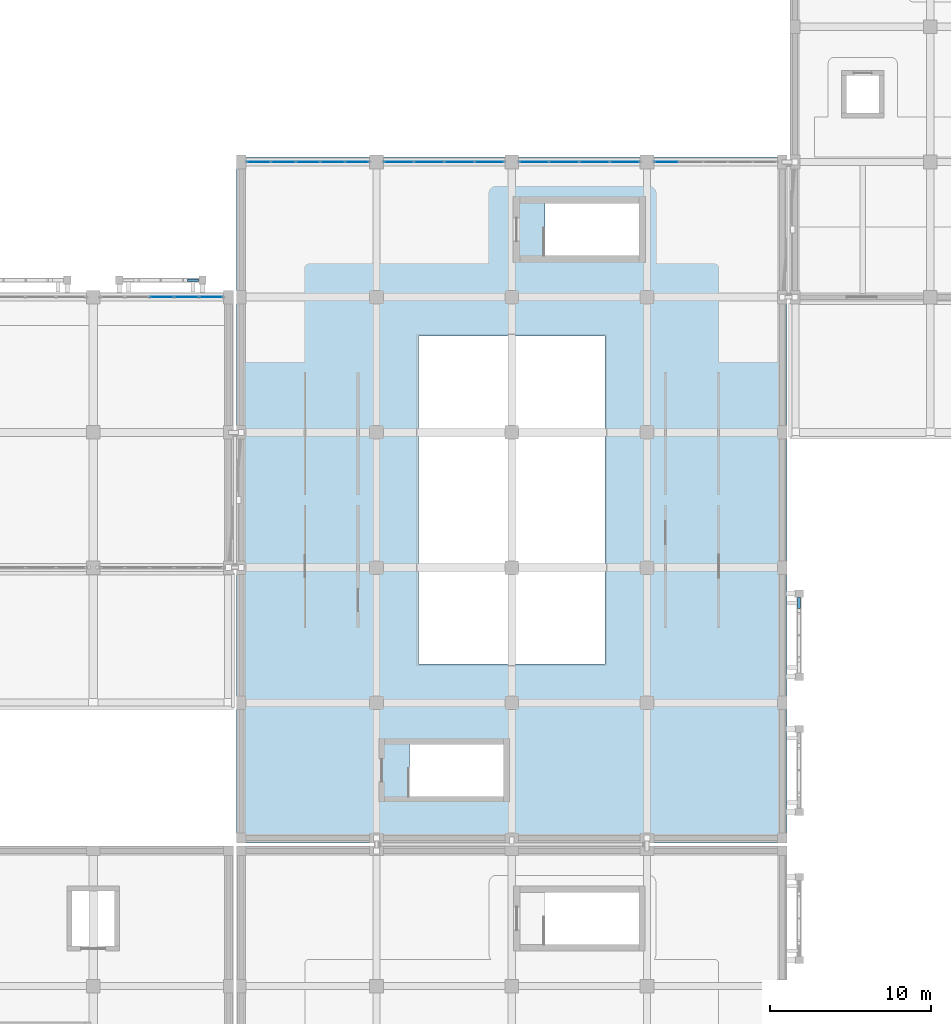
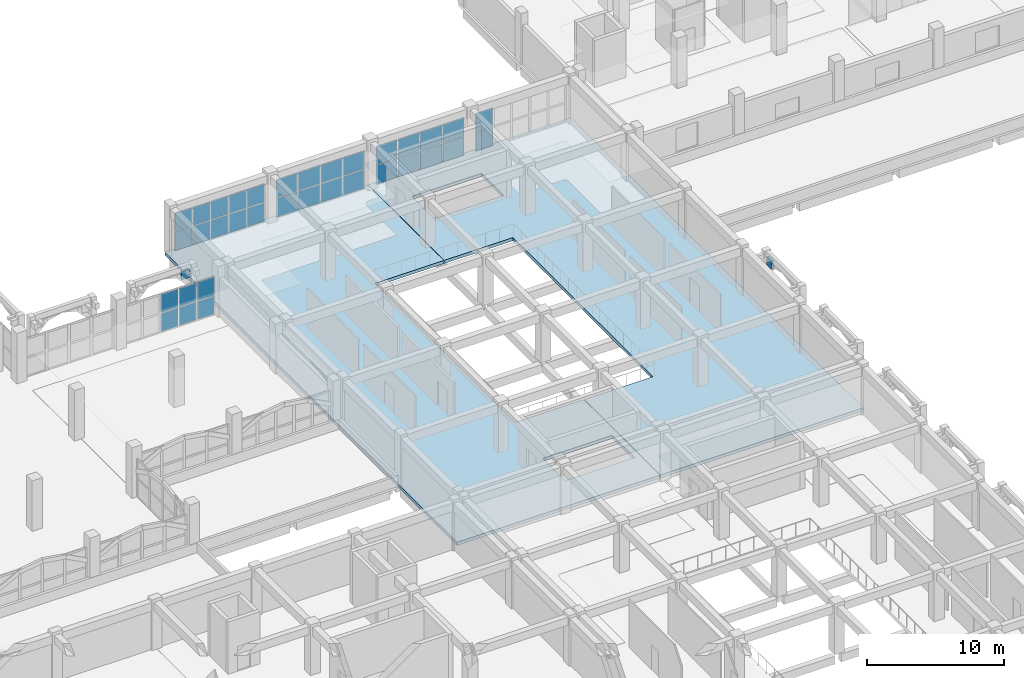
# One storey, part 100 of 129: 36 plates, 2 slabs, 5 elements without a shape of their own.
"""IFC4 building model written with IfcOpenShell, lengths in metres."""

from ifc_helpers import new_model, si_unit, direction, frame, origin, origin_2d, place, context, subcontext, project, spatial, polyline, rectangle, outline, extrude, material, layer, layer_set, type_object, element, aggregate, save


model = new_model("IFC4")

# Units and contexts
model_context = context("Model", 3, precision=1e-05, world=origin(), true_north=direction((0.0, 1.0)))
body_context = subcontext(model_context, "Body", "Model", "MODEL_VIEW")
ifc_project = project(units=[si_unit("LENGTHUNIT", "METRE"), si_unit("AREAUNIT", "SQUARE_METRE"), si_unit("VOLUMEUNIT", "CUBIC_METRE"), si_unit("PLANEANGLEUNIT", "RADIAN"), si_unit("MASSUNIT", "GRAM", prefix="KILO")], contexts=[model_context])

# Site, building, storey
site_placement = place(None, origin())
site = spatial("IfcSite", under=ifc_project, at=site_placement, CompositionType="ELEMENT")
building_placement = place(site_placement, origin())
building = spatial("IfcBuilding", under=site, at=building_placement, Name="Xazarin Passage Department Store", CompositionType="ELEMENT")
storey_placement = place(building_placement, frame((0.0, 0.0, 9.89990234375)))
storey = spatial("IfcBuildingStorey", under=building, at=storey_placement, Name="L02", CompositionType="ELEMENT", Elevation=9.89990234375)

# Curtain wall, plates
ifc_material_1 = material(Name="Bronze anodised aluminium", Category="aluminium")
ifc_layer_1 = layer(ifc_material_1, 0.169921875)
ifc_layer_set_1 = layer_set([ifc_layer_1], Name="Bronze anodised aluminium")
curtain_wall_type_1 = type_object("IfcCurtainWallType", Name="ARC-CW-ARC2", PredefinedType="NOTDEFINED", material=ifc_layer_set_1)
curtain_wall_1_placement = place(storey_placement, origin())
curtain_wall_1 = element("IfcCurtainWall", 1, at=curtain_wall_1_placement, inside=storey, type_object=curtain_wall_type_1, Name="L02 V2N Curtain Wall 114", PredefinedType="NOTDEFINED")
ifc_material_2 = material(Name="Low-E laminated safety glass", Category="glass")
ifc_layer_2 = layer(ifc_material_2, 0.028076171875)
ifc_layer_set_2 = layer_set([ifc_layer_2], Name="Low-E laminated safety glass")
plate_type_1 = type_object("IfcPlateType", Name="ARC-CWP-GLZ28", PredefinedType="CURTAIN_PANEL", material=ifc_layer_set_2)
plate_1_placement = place(storey_placement, frame((69.083740234375, 93.199951171875, 0.065185546875), z_axis=(0.0, 0.0, 1.0), x_axis=(1.0, 0.0, 0.0)))
plate_1 = element("IfcPlate", 2, at=plate_1_placement, type_object=plate_type_1, Name="CW4 panel 1.1", PredefinedType="CURTAIN_PANEL", context=body_context, shape_type="SweptSolid", body=[
    extrude(rectangle(XDim=1.4375, YDim=0.028076171875, at=origin_2d()), origin(), (0.0, 0.0, 1.0), 1.6474609375),
])
plate_2_placement = place(storey_placement, frame((69.083740234375, 93.199951171875, 1.777587890625), z_axis=(0.0, 0.0, 1.0), x_axis=(1.0, 0.0, 0.0)))
plate_2 = element("IfcPlate", 3, at=plate_2_placement, type_object=plate_type_1, Name="CW4 panel 1.2", PredefinedType="CURTAIN_PANEL", context=body_context, shape_type="SweptSolid", body=[
    extrude(rectangle(XDim=1.4375, YDim=0.028076171875, at=origin_2d()), origin(), (0.0, 0.0, 1.0), 1.6474609375),
])
plate_3_placement = place(storey_placement, frame((70.6025390625, 93.199951171875, 0.065185546875), z_axis=(0.0, 0.0, 1.0), x_axis=(1.0, 0.0, 0.0)))
plate_3 = element("IfcPlate", 4, at=plate_3_placement, type_object=plate_type_1, Name="CW4 panel 2.1", PredefinedType="CURTAIN_PANEL", context=body_context, shape_type="SweptSolid", body=[
    extrude(rectangle(XDim=1.469970703125, YDim=0.028076171875, at=origin_2d()), origin(), (0.0, 0.0, 1.0), 1.6474609375),
])
plate_4_placement = place(storey_placement, frame((70.6025390625, 93.199951171875, 1.777587890625), z_axis=(0.0, 0.0, 1.0), x_axis=(1.0, 0.0, 0.0)))
plate_4 = element("IfcPlate", 5, at=plate_4_placement, type_object=plate_type_1, Name="CW4 panel 2.2", PredefinedType="CURTAIN_PANEL", context=body_context, shape_type="SweptSolid", body=[
    extrude(rectangle(XDim=1.469970703125, YDim=0.028076171875, at=origin_2d()), origin(), (0.0, 0.0, 1.0), 1.6474609375),
])
plate_5_placement = place(storey_placement, frame((72.137451171875, 93.199951171875, 0.065185546875), z_axis=(0.0, 0.0, 1.0), x_axis=(1.0, 0.0, 0.0)))
plate_5 = element("IfcPlate", 6, at=plate_5_placement, type_object=plate_type_1, Name="CW4 panel 3.1", PredefinedType="CURTAIN_PANEL", context=body_context, shape_type="SweptSolid", body=[
    extrude(rectangle(XDim=1.469970703125, YDim=0.028076171875, at=origin_2d()), origin(), (0.0, 0.0, 1.0), 1.6474609375),
])
plate_6_placement = place(storey_placement, frame((72.137451171875, 93.199951171875, 1.777587890625), z_axis=(0.0, 0.0, 1.0), x_axis=(1.0, 0.0, 0.0)))
plate_6 = element("IfcPlate", 7, at=plate_6_placement, type_object=plate_type_1, Name="CW4 panel 3.2", PredefinedType="CURTAIN_PANEL", context=body_context, shape_type="SweptSolid", body=[
    extrude(rectangle(XDim=1.469970703125, YDim=0.028076171875, at=origin_2d()), origin(), (0.0, 0.0, 1.0), 1.6474609375),
])
plate_7_placement = place(storey_placement, frame((73.672607421875, 93.199951171875, 0.065185546875), z_axis=(0.0, 0.0, 1.0), x_axis=(1.0, 0.0, 0.0)))
plate_7 = element("IfcPlate", 8, at=plate_7_placement, type_object=plate_type_1, Name="CW4 panel 4.1", PredefinedType="CURTAIN_PANEL", context=body_context, shape_type="SweptSolid", body=[
    extrude(rectangle(XDim=1.469970703125, YDim=0.028076171875, at=origin_2d()), origin(), (0.0, 0.0, 1.0), 1.6474609375),
])
plate_8_placement = place(storey_placement, frame((73.672607421875, 93.199951171875, 1.777587890625), z_axis=(0.0, 0.0, 1.0), x_axis=(1.0, 0.0, 0.0)))
plate_8 = element("IfcPlate", 9, at=plate_8_placement, type_object=plate_type_1, Name="CW4 panel 4.2", PredefinedType="CURTAIN_PANEL", context=body_context, shape_type="SweptSolid", body=[
    extrude(rectangle(XDim=1.469970703125, YDim=0.028076171875, at=origin_2d()), origin(), (0.0, 0.0, 1.0), 1.6474609375),
])
plate_9_placement = place(storey_placement, frame((75.191162109375, 93.199951171875, 0.065185546875), z_axis=(0.0, 0.0, 1.0), x_axis=(1.0, 0.0, 0.0)))
plate_9 = element("IfcPlate", 10, at=plate_9_placement, type_object=plate_type_1, Name="CW4 panel 5.1", PredefinedType="CURTAIN_PANEL", context=body_context, shape_type="SweptSolid", body=[
    extrude(rectangle(XDim=1.4375, YDim=0.028076171875, at=origin_2d()), origin(), (0.0, 0.0, 1.0), 1.6474609375),
])
plate_10_placement = place(storey_placement, frame((75.191162109375, 93.199951171875, 1.777587890625), z_axis=(0.0, 0.0, 1.0), x_axis=(1.0, 0.0, 0.0)))
plate_10 = element("IfcPlate", 11, at=plate_10_placement, type_object=plate_type_1, Name="CW4 panel 5.2", PredefinedType="CURTAIN_PANEL", context=body_context, shape_type="SweptSolid", body=[
    extrude(rectangle(XDim=1.4375, YDim=0.028076171875, at=origin_2d()), origin(), (0.0, 0.0, 1.0), 1.6474609375),
])
aggregate(curtain_wall_1, [plate_1, plate_2, plate_3, plate_4, plate_5, plate_6, plate_7, plate_8, plate_9, plate_10])

curtain_wall_2_placement = place(storey_placement, origin())
curtain_wall_2 = element("IfcCurtainWall", 12, at=curtain_wall_2_placement, inside=storey, type_object=curtain_wall_type_1, Name="L02 V2N Curtain Wall 115", PredefinedType="NOTDEFINED")
plate_11_placement = place(storey_placement, frame((77.784912109375, 93.199951171875, 0.065185546875), z_axis=(0.0, 0.0, 1.0), x_axis=(1.0, 0.0, 0.0)))
plate_11 = element("IfcPlate", 13, at=plate_11_placement, type_object=plate_type_1, Name="CW4 panel 1.1", PredefinedType="CURTAIN_PANEL", context=body_context, shape_type="SweptSolid", body=[
    extrude(rectangle(XDim=1.7900390625, YDim=0.028076171875, at=origin_2d()), origin(), (0.0, 0.0, 1.0), 1.6474609375),
])
plate_12_placement = place(storey_placement, frame((77.784912109375, 93.199951171875, 1.777587890625), z_axis=(0.0, 0.0, 1.0), x_axis=(1.0, 0.0, 0.0)))
plate_12 = element("IfcPlate", 14, at=plate_12_placement, type_object=plate_type_1, Name="CW4 panel 1.2", PredefinedType="CURTAIN_PANEL", context=body_context, shape_type="SweptSolid", body=[
    extrude(rectangle(XDim=1.7900390625, YDim=0.028076171875, at=origin_2d()), origin(), (0.0, 0.0, 1.0), 1.6474609375),
])
plate_13_placement = place(storey_placement, frame((79.65625, 93.199951171875, 0.065185546875), z_axis=(0.0, 0.0, 1.0), x_axis=(1.0, 0.0, 0.0)))
plate_13 = element("IfcPlate", 15, at=plate_13_placement, type_object=plate_type_1, Name="CW4 panel 2.1", PredefinedType="CURTAIN_PANEL", context=body_context, shape_type="SweptSolid", body=[
    extrude(rectangle(XDim=1.822509765625, YDim=0.028076171875, at=origin_2d()), origin(), (0.0, 0.0, 1.0), 1.6474609375),
])
plate_14_placement = place(storey_placement, frame((79.65625, 93.199951171875, 1.777587890625), z_axis=(0.0, 0.0, 1.0), x_axis=(1.0, 0.0, 0.0)))
plate_14 = element("IfcPlate", 16, at=plate_14_placement, type_object=plate_type_1, Name="CW4 panel 2.2", PredefinedType="CURTAIN_PANEL", context=body_context, shape_type="SweptSolid", body=[
    extrude(rectangle(XDim=1.822509765625, YDim=0.028076171875, at=origin_2d()), origin(), (0.0, 0.0, 1.0), 1.6474609375),
])
plate_15_placement = place(storey_placement, frame((81.543701171875, 93.199951171875, 0.065185546875), z_axis=(0.0, 0.0, 1.0), x_axis=(1.0, 0.0, 0.0)))
plate_15 = element("IfcPlate", 17, at=plate_15_placement, type_object=plate_type_1, Name="CW4 panel 3.1", PredefinedType="CURTAIN_PANEL", context=body_context, shape_type="SweptSolid", body=[
    extrude(rectangle(XDim=1.822509765625, YDim=0.028076171875, at=origin_2d()), origin(), (0.0, 0.0, 1.0), 1.6474609375),
])
plate_16_placement = place(storey_placement, frame((81.543701171875, 93.199951171875, 1.777587890625), z_axis=(0.0, 0.0, 1.0), x_axis=(1.0, 0.0, 0.0)))
plate_16 = element("IfcPlate", 18, at=plate_16_placement, type_object=plate_type_1, Name="CW4 panel 3.2", PredefinedType="CURTAIN_PANEL", context=body_context, shape_type="SweptSolid", body=[
    extrude(rectangle(XDim=1.822509765625, YDim=0.028076171875, at=origin_2d()), origin(), (0.0, 0.0, 1.0), 1.6474609375),
])
plate_17_placement = place(storey_placement, frame((83.4150390625, 93.199951171875, 0.065185546875), z_axis=(0.0, 0.0, 1.0), x_axis=(1.0, 0.0, 0.0)))
plate_17 = element("IfcPlate", 19, at=plate_17_placement, type_object=plate_type_1, Name="CW4 panel 4.1", PredefinedType="CURTAIN_PANEL", context=body_context, shape_type="SweptSolid", body=[
    extrude(rectangle(XDim=1.7900390625, YDim=0.028076171875, at=origin_2d()), origin(), (0.0, 0.0, 1.0), 1.6474609375),
])
plate_18_placement = place(storey_placement, frame((83.4150390625, 93.199951171875, 1.777587890625), z_axis=(0.0, 0.0, 1.0), x_axis=(1.0, 0.0, 0.0)))
plate_18 = element("IfcPlate", 20, at=plate_18_placement, type_object=plate_type_1, Name="CW4 panel 4.2", PredefinedType="CURTAIN_PANEL", context=body_context, shape_type="SweptSolid", body=[
    extrude(rectangle(XDim=1.7900390625, YDim=0.028076171875, at=origin_2d()), origin(), (0.0, 0.0, 1.0), 1.6474609375),
])
aggregate(curtain_wall_2, [plate_11, plate_12, plate_13, plate_14, plate_15, plate_16, plate_17, plate_18])

curtain_wall_3_placement = place(storey_placement, origin())
curtain_wall_3 = element("IfcCurtainWall", 21, at=curtain_wall_3_placement, inside=storey, type_object=curtain_wall_type_1, Name="L02 V2N Curtain Wall 116", PredefinedType="NOTDEFINED")
plate_19_placement = place(storey_placement, frame((86.18505859375, 93.199951171875, 0.065185546875), z_axis=(0.0, 0.0, 1.0), x_axis=(1.0, 0.0, 0.0)))
plate_19 = element("IfcPlate", 22, at=plate_19_placement, type_object=plate_type_1, Name="CW4 panel 1.1", PredefinedType="CURTAIN_PANEL", context=body_context, shape_type="SweptSolid", body=[
    extrude(rectangle(XDim=1.7900390625, YDim=0.028076171875, at=origin_2d()), origin(), (0.0, 0.0, 1.0), 1.6474609375),
])
plate_20_placement = place(storey_placement, frame((86.18505859375, 93.199951171875, 1.777587890625), z_axis=(0.0, 0.0, 1.0), x_axis=(1.0, 0.0, 0.0)))
plate_20 = element("IfcPlate", 23, at=plate_20_placement, type_object=plate_type_1, Name="CW4 panel 1.2", PredefinedType="CURTAIN_PANEL", context=body_context, shape_type="SweptSolid", body=[
    extrude(rectangle(XDim=1.7900390625, YDim=0.028076171875, at=origin_2d()), origin(), (0.0, 0.0, 1.0), 1.6474609375),
])
plate_21_placement = place(storey_placement, frame((88.05615234375, 93.199951171875, 0.065185546875), z_axis=(0.0, 0.0, 1.0), x_axis=(1.0, 0.0, 0.0)))
plate_21 = element("IfcPlate", 24, at=plate_21_placement, type_object=plate_type_1, Name="CW4 panel 2.1", PredefinedType="CURTAIN_PANEL", context=body_context, shape_type="SweptSolid", body=[
    extrude(rectangle(XDim=1.822509765625, YDim=0.028076171875, at=origin_2d()), origin(), (0.0, 0.0, 1.0), 1.6474609375),
])
plate_22_placement = place(storey_placement, frame((88.05615234375, 93.199951171875, 1.777587890625), z_axis=(0.0, 0.0, 1.0), x_axis=(1.0, 0.0, 0.0)))
plate_22 = element("IfcPlate", 25, at=plate_22_placement, type_object=plate_type_1, Name="CW4 panel 2.2", PredefinedType="CURTAIN_PANEL", context=body_context, shape_type="SweptSolid", body=[
    extrude(rectangle(XDim=1.822509765625, YDim=0.028076171875, at=origin_2d()), origin(), (0.0, 0.0, 1.0), 1.6474609375),
])
plate_23_placement = place(storey_placement, frame((89.94384765625, 93.199951171875, 0.065185546875), z_axis=(0.0, 0.0, 1.0), x_axis=(1.0, 0.0, 0.0)))
plate_23 = element("IfcPlate", 26, at=plate_23_placement, type_object=plate_type_1, Name="CW4 panel 3.1", PredefinedType="CURTAIN_PANEL", context=body_context, shape_type="SweptSolid", body=[
    extrude(rectangle(XDim=1.822509765625, YDim=0.028076171875, at=origin_2d()), origin(), (0.0, 0.0, 1.0), 1.6474609375),
])
plate_24_placement = place(storey_placement, frame((89.94384765625, 93.199951171875, 1.777587890625), z_axis=(0.0, 0.0, 1.0), x_axis=(1.0, 0.0, 0.0)))
plate_24 = element("IfcPlate", 27, at=plate_24_placement, type_object=plate_type_1, Name="CW4 panel 3.2", PredefinedType="CURTAIN_PANEL", context=body_context, shape_type="SweptSolid", body=[
    extrude(rectangle(XDim=1.822509765625, YDim=0.028076171875, at=origin_2d()), origin(), (0.0, 0.0, 1.0), 1.6474609375),
])
plate_25_placement = place(storey_placement, frame((91.81494140625, 93.199951171875, 0.065185546875), z_axis=(0.0, 0.0, 1.0), x_axis=(1.0, 0.0, 0.0)))
plate_25 = element("IfcPlate", 28, at=plate_25_placement, type_object=plate_type_1, Name="CW4 panel 4.1", PredefinedType="CURTAIN_PANEL", context=body_context, shape_type="SweptSolid", body=[
    extrude(rectangle(XDim=1.7900390625, YDim=0.028076171875, at=origin_2d()), origin(), (0.0, 0.0, 1.0), 1.6474609375),
])
plate_26_placement = place(storey_placement, frame((91.81494140625, 93.199951171875, 1.777587890625), z_axis=(0.0, 0.0, 1.0), x_axis=(1.0, 0.0, 0.0)))
plate_26 = element("IfcPlate", 29, at=plate_26_placement, type_object=plate_type_1, Name="CW4 panel 4.2", PredefinedType="CURTAIN_PANEL", context=body_context, shape_type="SweptSolid", body=[
    extrude(rectangle(XDim=1.7900390625, YDim=0.028076171875, at=origin_2d()), origin(), (0.0, 0.0, 1.0), 1.6474609375),
])
aggregate(curtain_wall_3, [plate_19, plate_20, plate_21, plate_22, plate_23, plate_24, plate_25, plate_26])

curtain_wall_4_placement = place(storey_placement, origin())
curtain_wall_4 = element("IfcCurtainWall", 30, at=curtain_wall_4_placement, inside=storey, type_object=curtain_wall_type_1, Name="L02 V2N Curtain Wall 117", PredefinedType="NOTDEFINED")
plate_27_placement = place(storey_placement, frame((94.40869140625, 93.199951171875, 0.065185546875), z_axis=(0.0, 0.0, 1.0), x_axis=(1.0, 0.0, 0.0)))
plate_27 = element("IfcPlate", 31, at=plate_27_placement, type_object=plate_type_1, Name="CW4 panel 1.1", PredefinedType="CURTAIN_PANEL", context=body_context, shape_type="SweptSolid", body=[
    extrude(rectangle(XDim=1.4375, YDim=0.028076171875, at=origin_2d()), origin(), (0.0, 0.0, 1.0), 1.6474609375),
])
plate_28_placement = place(storey_placement, frame((94.40869140625, 93.199951171875, 1.777587890625), z_axis=(0.0, 0.0, 1.0), x_axis=(1.0, 0.0, 0.0)))
plate_28 = element("IfcPlate", 32, at=plate_28_placement, type_object=plate_type_1, Name="CW4 panel 1.2", PredefinedType="CURTAIN_PANEL", context=body_context, shape_type="SweptSolid", body=[
    extrude(rectangle(XDim=1.4375, YDim=0.028076171875, at=origin_2d()), origin(), (0.0, 0.0, 1.0), 1.6474609375),
])
aggregate(curtain_wall_4, [plate_27, plate_28])

ifc_layer_3 = layer(ifc_material_1, 0.199951171875)
ifc_layer_set_3 = layer_set([ifc_layer_3], Name="Bronze anodised aluminium")
curtain_wall_type_2 = type_object("IfcCurtainWallType", Name="ARC-CW-VIT2", PredefinedType="NOTDEFINED", material=ifc_layer_set_3)
curtain_wall_5_placement = place(storey_placement, origin())
curtain_wall_5 = element("IfcCurtainWall", 33, at=curtain_wall_5_placement, inside=storey, type_object=curtain_wall_type_2, Name="L02 V1 Curtain Wall 038", PredefinedType="NOTDEFINED")
ifc_layer_4 = layer(ifc_material_2, 0.031982421875)
ifc_layer_set_4 = layer_set([ifc_layer_4], Name="Low-E laminated safety glass")
plate_type_2 = type_object("IfcPlateType", Name="ARC-CWP-GLZ32", PredefinedType="CURTAIN_PANEL", material=ifc_layer_set_4)
plate_29_placement = place(storey_placement, frame((63.0625, 84.800048828125, 0.0751953125), z_axis=(0.0, 0.0, 1.0), x_axis=(1.0, 0.0, 0.0)))
plate_29 = element("IfcPlate", 34, at=plate_29_placement, type_object=plate_type_2, Name="CW2 panel 3.1", PredefinedType="CURTAIN_PANEL", context=body_context, shape_type="SweptSolid", body=[
    extrude(rectangle(XDim=1.4599609375, YDim=0.031982421875, at=origin_2d()), origin(), (0.0, 0.0, 1.0), 1.612548828125),
])
plate_30_placement = place(storey_placement, frame((63.0625, 84.800048828125, 1.7626953125), z_axis=(0.0, 0.0, 1.0), x_axis=(1.0, 0.0, 0.0)))
plate_30 = element("IfcPlate", 35, at=plate_30_placement, type_object=plate_type_2, Name="CW2 panel 3.2", PredefinedType="CURTAIN_PANEL", context=body_context, shape_type="SweptSolid", body=[
    extrude(rectangle(XDim=1.4599609375, YDim=0.031982421875, at=origin_2d()), origin(), (0.0, 0.0, 1.0), 1.612548828125),
])
plate_31_placement = place(storey_placement, frame((64.597412109375, 84.800048828125, 0.0751953125), z_axis=(0.0, 0.0, 1.0), x_axis=(1.0, 0.0, 0.0)))
plate_31 = element("IfcPlate", 36, at=plate_31_placement, type_object=plate_type_2, Name="CW2 panel 4.1", PredefinedType="CURTAIN_PANEL", context=body_context, shape_type="SweptSolid", body=[
    extrude(rectangle(XDim=1.4599609375, YDim=0.031982421875, at=origin_2d()), origin(), (0.0, 0.0, 1.0), 1.612548828125),
])
plate_32_placement = place(storey_placement, frame((64.597412109375, 84.800048828125, 1.7626953125), z_axis=(0.0, 0.0, 1.0), x_axis=(1.0, 0.0, 0.0)))
plate_32 = element("IfcPlate", 37, at=plate_32_placement, type_object=plate_type_2, Name="CW2 panel 4.2", PredefinedType="CURTAIN_PANEL", context=body_context, shape_type="SweptSolid", body=[
    extrude(rectangle(XDim=1.4599609375, YDim=0.031982421875, at=origin_2d()), origin(), (0.0, 0.0, 1.0), 1.612548828125),
])
plate_33_placement = place(storey_placement, frame((66.11376953125, 84.800048828125, 0.0751953125), z_axis=(0.0, 0.0, 1.0), x_axis=(1.0, 0.0, 0.0)))
plate_33 = element("IfcPlate", 38, at=plate_33_placement, type_object=plate_type_2, Name="CW2 panel 5.1", PredefinedType="CURTAIN_PANEL", context=body_context, shape_type="SweptSolid", body=[
    extrude(rectangle(XDim=1.422607421875, YDim=0.031982421875, at=origin_2d()), origin(), (0.0, 0.0, 1.0), 1.612548828125),
])
plate_34_placement = place(storey_placement, frame((66.11376953125, 84.800048828125, 1.7626953125), z_axis=(0.0, 0.0, 1.0), x_axis=(1.0, 0.0, 0.0)))
plate_34 = element("IfcPlate", 39, at=plate_34_placement, type_object=plate_type_2, Name="CW2 panel 5.2", PredefinedType="CURTAIN_PANEL", context=body_context, shape_type="SweptSolid", body=[
    extrude(rectangle(XDim=1.422607421875, YDim=0.031982421875, at=origin_2d()), origin(), (0.0, 0.0, 1.0), 1.612548828125),
])
aggregate(curtain_wall_5, [plate_29, plate_30, plate_31, plate_32, plate_33, plate_34])

# Plates
ifc_material_3 = material(Name="Precast concrete C40/50", Category="concrete")
ifc_layer_5 = layer(ifc_material_3, 0.159912109375)
ifc_layer_set_5 = layer_set([ifc_layer_5], Name="Precast concrete C40/50")
plate_type_3 = type_object("IfcPlateType", Name="ARC-PLT-SCR-09", PredefinedType="USERDEFINED", material=ifc_layer_set_5)
plate_35_placement = place(storey_placement, frame((65.0, 85.85009765625, 3.26025390625), z_axis=(0.0, 0.0, 1.0), x_axis=(1.0, 0.0, 0.0)))
element("IfcPlate", 40, at=plate_35_placement, inside=storey, type_object=plate_type_3, Name="L02 V1 Arch Spandrel Tympanum 0070", ObjectType="SCREEN PANEL", PredefinedType="USERDEFINED", context=body_context, shape_type="SweptSolid", body=[
    extrude(rectangle(XDim=0.679931640625, YDim=0.159912109375, at=origin_2d()), origin(), (0.0, 0.0, 1.0), 0.719970703125),
])
ifc_layer_6 = layer(ifc_material_3, 0.199951171875)
ifc_layer_set_6 = layer_set([ifc_layer_6], Name="Precast concrete C40/50")
plate_type_4 = type_object("IfcPlateType", Name="ARC-PLT-SCR-13", PredefinedType="USERDEFINED", material=ifc_layer_set_6)
plate_36_placement = place(storey_placement, frame((102.64990234375, 65.800048828125, 3.26025390625), z_axis=(0.0, 0.0, 1.0), x_axis=(0.0, 1.0, 0.0)))
element("IfcPlate", 41, at=plate_36_placement, inside=storey, type_object=plate_type_4, Name="L02 V2N Arch Spandrel Tympanum 0214", ObjectType="SCREEN PANEL", PredefinedType="USERDEFINED", context=body_context, shape_type="SweptSolid", body=[
    extrude(rectangle(XDim=0.679931640625, YDim=0.199951171875, at=origin_2d()), origin(), (0.0, 0.0, 1.0), 0.719970703125),
])

# Slabs
ifc_material_4 = material(Name="Concrete C35/45", Category="concrete")
ifc_layer_7 = layer(ifc_material_4, 0.280029296875)
ifc_layer_set_7 = layer_set([ifc_layer_7], Name="Concrete C35/45")
slab_type = type_object("IfcSlabType", Name="STR-SLB-FLR280", PredefinedType="FLOOR", material=ifc_layer_set_7)
slab_1_placement = place(storey_placement, frame((0.0, 0.0, -0.27978515625)))
element("IfcSlab", 42, at=slab_1_placement, inside=storey, type_object=slab_type, Name="L02 V2N Suspended Floor Slab Bay 1", PredefinedType="FLOOR", context=body_context, shape_type="SweptSolid", body=[
    extrude(outline(polyline([(67.699951171875, 50.89990234375), (84.7900390625, 50.89990234375), (84.7900390625, 62.0), (79.0, 62.0), (79.0, 82.39990234375), (84.7900390625, 82.39990234375), (84.7900390625, 93.5), (67.699951171875, 93.5), (67.699951171875, 50.89990234375)]), holes=[polyline([(78.451904296875, 53.780029296875), (78.451904296875, 57.02001953125), (84.300048828125, 57.02001953125), (84.300048828125, 53.780029296875), (78.451904296875, 53.780029296875)])]), origin(), (0.0, 0.0, 1.0), 0.27978515625),
])
slab_2_placement = place(storey_placement, frame((0.0, 0.0, -0.27978515625)))
element("IfcSlab", 43, at=slab_2_placement, inside=storey, type_object=slab_type, Name="L02 V2N Suspended Floor Slab Bay 2", PredefinedType="FLOOR", context=body_context, shape_type="SweptSolid", body=[
    extrude(outline(polyline([(84.81005859375, 93.5), (84.81005859375, 82.39990234375), (90.60009765625, 82.39990234375), (90.60009765625, 62.0), (84.81005859375, 62.0), (84.81005859375, 50.89990234375), (101.89990234375, 50.89990234375), (101.89990234375, 93.5), (84.81005859375, 93.5)]), holes=[polyline([(86.85205078125, 90.6201171875), (92.699951171875, 90.6201171875), (92.699951171875, 87.3798828125), (86.85205078125, 87.3798828125), (86.85205078125, 90.6201171875)])]), origin(), (0.0, 0.0, 1.0), 0.27978515625),
])

save(model, "model.ifc")
